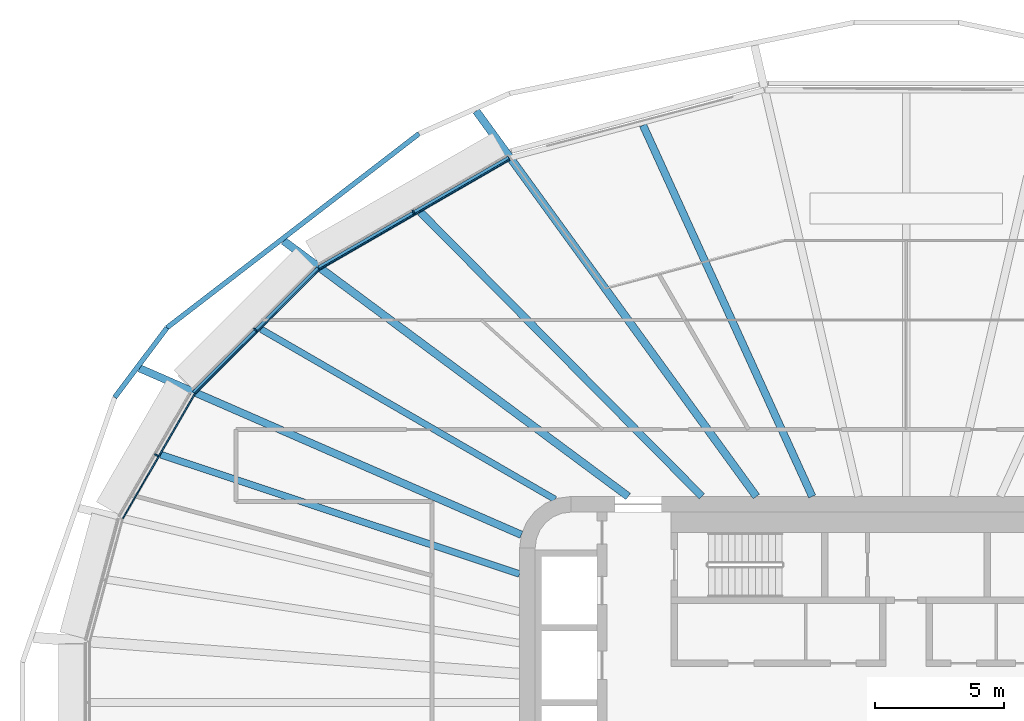
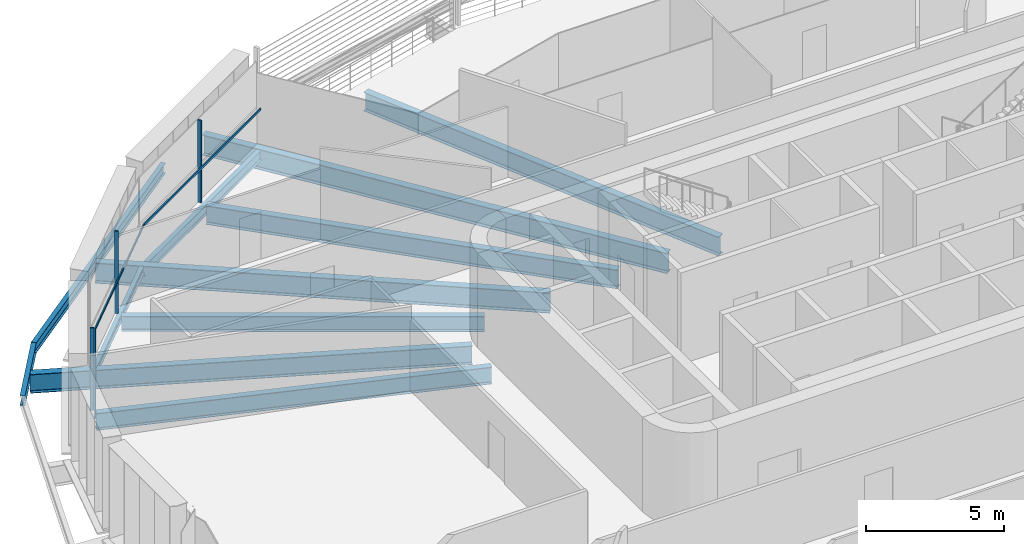
# One storey, part 7 of 24: 11 beams, 6 members, 3 elements without a shape of their own.
"""IFC4 building model written with IfcOpenShell, lengths in metres."""

from ifc_helpers import new_model, si_unit, direction, frame, origin, origin_2d, place, context, subcontext, project, spatial, rectangle, i_section, extrude, material, layer, layer_set, material_profile, profile_set, type_object, element, aggregate, save


model = new_model("IFC4")

# Units and contexts
model_context = context("Model", 3, precision=1e-05, world=origin(), true_north=direction((0.0, 1.0)))
body_context = subcontext(model_context, "Body", "Model", "MODEL_VIEW")
ifc_project = project(units=[si_unit("LENGTHUNIT", "METRE"), si_unit("AREAUNIT", "SQUARE_METRE"), si_unit("VOLUMEUNIT", "CUBIC_METRE"), si_unit("PLANEANGLEUNIT", "RADIAN"), si_unit("MASSUNIT", "GRAM", prefix="KILO")], contexts=[model_context])

# Site, building, storey
site_placement = place(None, origin())
site = spatial("IfcSite", under=ifc_project, at=site_placement, CompositionType="ELEMENT")
building_placement = place(site_placement, origin())
building = spatial("IfcBuilding", under=site, at=building_placement, Name="Sahrelin Media Tower", CompositionType="ELEMENT")
storey_placement = place(building_placement, frame((0.0, 0.0, 118.800048828125)))
storey = spatial("IfcBuildingStorey", under=building, at=storey_placement, Name="L23", CompositionType="ELEMENT", Elevation=118.800048828125)

# Beams
ifc_material_1 = material(Name="Steel S355", Category="steel")
ifc_material_profile_1 = material_profile(ifc_material_1, i_section(OverallWidth=0.17138671875, OverallDepth=0.35498046875, WebThickness=0.00732421875, FlangeThickness=0.011474609375, FilletRadius=0.01025390625, at=origin_2d()), Name="UB 356x171x51")
ifc_profile_set_1 = profile_set([ifc_material_profile_1], Name="Steel S355")
beam_type_1 = type_object("IfcBeamType", Name="Edge beam EB3", PredefinedType="BEAM", material=ifc_profile_set_1)
beam_1_placement = place(storey_placement, frame((-27.626953125, 12.023681640625, -0.32763671875), z_axis=(0.707106781187, 0.707106781187, 0.0), x_axis=(-0.707106781187, 0.707106781187, 0.0)))
element("IfcBeam", 1, at=beam_1_placement, inside=storey, type_object=beam_type_1, Name="Edge beam L23-16", PredefinedType="BEAM", context=body_context, shape_type="SweptSolid", body=[
    extrude(i_section(OverallWidth=0.17138671875, OverallDepth=0.35498046875, WebThickness=0.00732421875, FlangeThickness=0.011474609375, FilletRadius=0.01025390625, at=origin_2d()), origin(), (0.0, 0.0, 1.0), 6.819091796875),
])
ifc_material_profile_2 = material_profile(ifc_material_1, i_section(OverallWidth=0.1904296875, OverallDepth=0.45703125, WebThickness=0.009033203125, FlangeThickness=0.014404296875, FilletRadius=0.01025390625, at=origin_2d()), Name="UB 457x191x74")
ifc_profile_set_2 = profile_set([ifc_material_profile_2], Name="Steel S355")
beam_type_2 = type_object("IfcBeamType", Name="Edge beam EB5", PredefinedType="BEAM", material=ifc_profile_set_2)
beam_2_placement = place(storey_placement, frame((-22.7822265625, 16.86279296875, -0.428466796875), z_axis=(0.866002219952, 0.500040153425, 0.0), x_axis=(-0.500040153425, 0.866002219952, 0.0)))
element("IfcBeam", 2, at=beam_2_placement, inside=storey, type_object=beam_type_2, Name="Edge beam L23-17", PredefinedType="BEAM", context=body_context, shape_type="SweptSolid", body=[
    extrude(i_section(OverallWidth=0.1904296875, OverallDepth=0.45703125, WebThickness=0.009033203125, FlangeThickness=0.014404296875, FilletRadius=0.01025390625, at=origin_2d()), origin(), (0.0, 0.0, 1.0), 8.514404296875),
])

# Curtain wall, member
ifc_material_2 = material(Name="Champagne anodised aluminium 6063-T6", Category="aluminium")
ifc_layer = layer(ifc_material_2, 0.14990234375)
ifc_layer_set = layer_set([ifc_layer], Name="Tower ribbon curtain wall")
curtain_wall_type = type_object("IfcCurtainWallType", Name="Tower ribbon curtain wall", PredefinedType="NOTDEFINED", material=ifc_layer_set)
curtain_wall_1_placement = place(storey_placement, frame((-19.17041015625, 19.12158203125, 0.0), z_axis=(0.0, 0.0, 1.0), x_axis=(1.0, 0.0, 0.0)))
curtain_wall_1 = element("IfcCurtainWall", 3, at=curtain_wall_1_placement, inside=storey, type_object=curtain_wall_type, Name="L23:CW:L23-08", PredefinedType="NOTDEFINED")
ifc_material_profile_3 = material_profile(ifc_material_2, rectangle(XDim=0.06005859375, YDim=0.14990234375, at=origin_2d()), Name="Mullion 60x150")
ifc_profile_set_3 = profile_set([ifc_material_profile_3], Name="Champagne anodised aluminium 6063-T6")
member_type_1 = type_object("IfcMemberType", Name="Mullion 60x150 CW1", PredefinedType="MULLION", material=ifc_profile_set_3)
member_1_placement = place(storey_placement, frame((-19.122802734375, 19.039306640625, 0.0), z_axis=(0.0, 0.0, 1.0), x_axis=(-0.866020167749, -0.500009068969, 0.0)))
member_1 = element("IfcMember", 4, at=member_1_placement, type_object=member_type_1, Name="L23:CWM:L23-08", PredefinedType="MULLION", context=body_context, shape_type="SweptSolid", body=[
    extrude(rectangle(XDim=0.06005859375, YDim=0.14990234375, at=origin_2d()), origin(), (0.0, 0.0, 1.0), 3.6484375),
])

curtain_wall_2_placement = place(storey_placement, frame((-25.322021484375, 14.54052734375, 0.0), z_axis=(0.0, 0.0, 1.0), x_axis=(1.0, 0.0, 0.0)))
curtain_wall_2 = element("IfcCurtainWall", 5, at=curtain_wall_2_placement, inside=storey, type_object=curtain_wall_type, Name="L23:CW:L23-09", PredefinedType="NOTDEFINED")
member_2_placement = place(storey_placement, frame((-25.2548828125, 14.473388671875, 0.0), z_axis=(0.0, 0.0, 1.0), x_axis=(-0.707106781187, -0.707106781187, 0.0)))
member_2 = element("IfcMember", 6, at=member_2_placement, type_object=member_type_1, Name="L23:CWM:L23-09", PredefinedType="MULLION", context=body_context, shape_type="SweptSolid", body=[
    extrude(rectangle(XDim=0.06005859375, YDim=0.14990234375, at=origin_2d()), origin(), (0.0, 0.0, 1.0), 3.6484375),
])

curtain_wall_3_placement = place(storey_placement, frame((-29.174560546875, 9.650390625, 0.0), z_axis=(0.0, 0.0, 1.0), x_axis=(1.0, 0.0, 0.0)))
curtain_wall_3 = element("IfcCurtainWall", 7, at=curtain_wall_3_placement, inside=storey, type_object=curtain_wall_type, Name="L23:CW:L23-10", PredefinedType="NOTDEFINED")
member_3_placement = place(storey_placement, frame((-29.09228515625, 9.60302734375, 0.0), z_axis=(0.0, 0.0, 1.0), x_axis=(-0.500001511499, -0.866024531118, 0.0)))
member_3 = element("IfcMember", 8, at=member_3_placement, type_object=member_type_1, Name="L23:CWM:L23-10", PredefinedType="MULLION", context=body_context, shape_type="SweptSolid", body=[
    extrude(rectangle(XDim=0.06005859375, YDim=0.14990234375, at=origin_2d()), origin(), (0.0, 0.0, 1.0), 3.6484375),
])

# Beams
ifc_material_profile_4 = material_profile(ifc_material_1, i_section(OverallWidth=0.291748046875, OverallDepth=0.8349609375, WebThickness=0.013916015625, FlangeThickness=0.018798828125, FilletRadius=0.017822265625, at=origin_2d()), Name="UB 838x292x176")
ifc_profile_set_4 = profile_set([ifc_material_profile_4], Name="Steel S355")
beam_type_3 = type_object("IfcBeamType", Name="Radial primary beam PB10", PredefinedType="BEAM", material=ifc_profile_set_4)
beam_3_placement = place(storey_placement, frame((-14.9326171875, 6.512451171875, -0.567626953125), z_axis=(-0.916617780481, 0.399764736446, 0.0), x_axis=(-0.399764736446, -0.916617780481, 0.0)))
element("IfcBeam", 9, at=beam_3_placement, inside=storey, type_object=beam_type_3, Name="Radial beam L23-10", PredefinedType="BEAM", context=body_context, shape_type="SweptSolid", body=[
    extrude(i_section(OverallWidth=0.291748046875, OverallDepth=0.8349609375, WebThickness=0.013916015625, FlangeThickness=0.018798828125, FilletRadius=0.017822265625, at=origin_2d()), origin(), (0.0, 0.0, 1.0), 16.16357421875),
])
ifc_material_profile_5 = material_profile(ifc_material_1, i_section(OverallWidth=0.30322265625, OverallDepth=0.903076171875, WebThickness=0.01513671875, FlangeThickness=0.020263671875, FilletRadius=0.01904296875, at=origin_2d()), Name="UB 914x305x201")
ifc_profile_set_5 = profile_set([ifc_material_profile_5], Name="Steel S355")
beam_type_4 = type_object("IfcBeamType", Name="Radial primary beam PB11", PredefinedType="BEAM", material=ifc_profile_set_5)
beam_4_placement = place(storey_placement, frame((-5.813232421875, 8.0, -0.6015625), z_axis=(-0.587841187642, 0.80897635201, 0.0), x_axis=(-0.80897635201, -0.587841187642, 0.0)))
element("IfcBeam", 10, at=beam_4_placement, inside=storey, type_object=beam_type_4, Name="Radial beam L23-08", PredefinedType="BEAM", context=body_context, shape_type="SweptSolid", body=[
    extrude(i_section(OverallWidth=0.30322265625, OverallDepth=0.903076171875, WebThickness=0.01513671875, FlangeThickness=0.020263671875, FilletRadius=0.01904296875, at=origin_2d()), origin(), (0.0, 0.0, 1.0), 18.49365234375),
])
beam_5_placement = place(storey_placement, frame((-10.785888671875, 8.0, -0.6015625), z_axis=(-0.803181335478, 0.59573462409, 0.0), x_axis=(-0.59573462409, -0.803181335478, 0.0)))
element("IfcBeam", 11, at=beam_5_placement, inside=storey, type_object=beam_type_4, Name="Radial beam L23-09", PredefinedType="BEAM", context=body_context, shape_type="SweptSolid", body=[
    extrude(i_section(OverallWidth=0.30322265625, OverallDepth=0.903076171875, WebThickness=0.01513671875, FlangeThickness=0.020263671875, FilletRadius=0.01904296875, at=origin_2d()), origin(), (0.0, 0.0, 1.0), 16.645751953125),
])
ifc_material_profile_6 = material_profile(ifc_material_1, i_section(OverallWidth=0.291748046875, OverallDepth=0.8349609375, WebThickness=0.013916015625, FlangeThickness=0.018798828125, FilletRadius=0.017822265625, at=origin_2d()), Name="UB 838x292x176")
ifc_profile_set_6 = profile_set([ifc_material_profile_6], Name="Steel S355")
beam_type_5 = type_object("IfcBeamType", Name="Radial secondary beam SB10", PredefinedType="BEAM", material=ifc_profile_set_6)
beam_6_placement = place(storey_placement, frame((-3.6455078125, 8.0, -0.617431640625), z_axis=(-0.41464150741, 0.909984846211, 0.0), x_axis=(-0.909984846211, -0.41464150741, 0.0)))
element("IfcBeam", 12, at=beam_6_placement, inside=storey, type_object=beam_type_5, Name="Secondary beam L23-07", PredefinedType="BEAM", context=body_context, shape_type="SweptSolid", body=[
    extrude(i_section(OverallWidth=0.291748046875, OverallDepth=0.8349609375, WebThickness=0.013916015625, FlangeThickness=0.018798828125, FilletRadius=0.017822265625, at=origin_2d()), origin(), (0.0, 0.0, 1.0), 15.833984375),
])
beam_7_placement = place(storey_placement, frame((-7.922119140625, 8.0, -0.567626953125), z_axis=(-0.703629599275, 0.710566947601, 0.0), x_axis=(-0.710566947601, -0.703629599275, 0.0)))
element("IfcBeam", 13, at=beam_7_placement, inside=storey, type_object=beam_type_5, Name="Secondary beam L23-08", PredefinedType="BEAM", context=body_context, shape_type="SweptSolid", body=[
    extrude(i_section(OverallWidth=0.291748046875, OverallDepth=0.8349609375, WebThickness=0.013916015625, FlangeThickness=0.018798828125, FilletRadius=0.017822265625, at=origin_2d()), origin(), (0.0, 0.0, 1.0), 15.519775390625),
])
ifc_material_profile_7 = material_profile(ifc_material_1, i_section(OverallWidth=0.2529296875, OverallDepth=0.677978515625, WebThickness=0.01171875, FlangeThickness=0.01611328125, FilletRadius=0.01513671875, at=origin_2d()), Name="UB 686x254x125")
ifc_profile_set_7 = profile_set([ifc_material_profile_7], Name="Steel S355")
beam_type_6 = type_object("IfcBeamType", Name="Radial secondary beam SB8", PredefinedType="BEAM", material=ifc_profile_set_7)
beam_8_placement = place(storey_placement, frame((-13.625732421875, 7.88720703125, -0.489013671875), z_axis=(-0.865466427639, 0.50096692768, 0.0), x_axis=(-0.50096692768, -0.865466427639, 0.0)))
element("IfcBeam", 14, at=beam_8_placement, inside=storey, type_object=beam_type_6, Name="Secondary beam L23-09", PredefinedType="BEAM", context=body_context, shape_type="SweptSolid", body=[
    extrude(i_section(OverallWidth=0.2529296875, OverallDepth=0.677978515625, WebThickness=0.01171875, FlangeThickness=0.01611328125, FilletRadius=0.01513671875, at=origin_2d()), origin(), (0.0, 0.0, 1.0), 13.18505859375),
])
ifc_material_profile_8 = material_profile(ifc_material_1, i_section(OverallWidth=0.26513671875, OverallDepth=0.75390625, WebThickness=0.0126953125, FlangeThickness=0.017578125, FilletRadius=0.0166015625, at=origin_2d()), Name="UB 762x267x147")
ifc_profile_set_8 = profile_set([ifc_material_profile_8], Name="Steel S355")
beam_type_7 = type_object("IfcBeamType", Name="Radial secondary beam SB9", PredefinedType="BEAM", material=ifc_profile_set_8)
beam_9_placement = place(storey_placement, frame((-15.0, 4.98974609375, -0.527099609375), z_axis=(-0.948881111096, 0.315633707017, 0.0), x_axis=(-0.315633707017, -0.948881111096, 0.0)))
element("IfcBeam", 15, at=beam_9_placement, inside=storey, type_object=beam_type_7, Name="Secondary beam L23-10", PredefinedType="BEAM", context=body_context, shape_type="SweptSolid", body=[
    extrude(i_section(OverallWidth=0.26513671875, OverallDepth=0.75390625, WebThickness=0.0126953125, FlangeThickness=0.017578125, FilletRadius=0.0166015625, at=origin_2d()), origin(), (0.0, 0.0, 1.0), 14.673095703125),
])
ifc_material_profile_9 = material_profile(ifc_material_1, i_section(OverallWidth=0.1904296875, OverallDepth=0.45703125, WebThickness=0.009033203125, FlangeThickness=0.014404296875, FilletRadius=0.01025390625, at=origin_2d()), Name="UB 457x191x74")
ifc_profile_set_9 = profile_set([ifc_material_profile_9], Name="Steel S355")
beam_type_8 = type_object("IfcBeamType", Name="Tie chord TC5", PredefinedType="BEAM", material=ifc_profile_set_9)
beam_10_placement = place(storey_placement, frame((-18.9033203125, 22.0791015625, -0.378662109375), z_axis=(-0.792440143833, -0.609949685173, 0.0), x_axis=(0.609949685173, -0.792440143833, 0.0)))
element("IfcBeam", 16, at=beam_10_placement, inside=storey, type_object=beam_type_8, Name="Tie chord L23-09", PredefinedType="BEAM", context=body_context, shape_type="SweptSolid", body=[
    extrude(i_section(OverallWidth=0.1904296875, OverallDepth=0.45703125, WebThickness=0.009033203125, FlangeThickness=0.014404296875, FilletRadius=0.01025390625, at=origin_2d()), origin(), (0.0, 0.0, 1.0), 12.34423828125),
])
beam_11_placement = place(storey_placement, frame((-28.685302734375, 14.5498046875, -0.378662109375), z_axis=(-0.600069344871, -0.79994798665, 0.0), x_axis=(0.79994798665, -0.600069344871, 0.0)))
element("IfcBeam", 17, at=beam_11_placement, inside=storey, type_object=beam_type_8, Name="Tie chord L23-10", PredefinedType="BEAM", context=body_context, shape_type="SweptSolid", body=[
    extrude(i_section(OverallWidth=0.1904296875, OverallDepth=0.45703125, WebThickness=0.009033203125, FlangeThickness=0.014404296875, FilletRadius=0.01025390625, at=origin_2d()), origin(), (0.0, 0.0, 1.0), 3.379638671875),
])

# Member
ifc_material_profile_10 = material_profile(ifc_material_2, rectangle(XDim=0.050048828125, YDim=0.10009765625, at=origin_2d()), Name="Transom 50x100")
ifc_profile_set_10 = profile_set([ifc_material_profile_10], Name="Champagne anodised aluminium 6063-T6")
member_type_2 = type_object("IfcMemberType", Name="Transom 50x100 CW1", PredefinedType="USERDEFINED", material=ifc_profile_set_10)
member_4_placement = place(storey_placement, frame((-15.399658203125, 21.073486328125, 1.599853515625), z_axis=(-0.866013526608, -0.50002057131, 0.0), x_axis=(0.50002057131, -0.866013526608, 0.0)))
member_4 = element("IfcMember", 18, at=member_4_placement, type_object=member_type_2, Name="L23:CWT:L23-08", ObjectType="TRANSOM", PredefinedType="USERDEFINED", context=body_context, shape_type="SweptSolid", body=[
    extrude(rectangle(XDim=0.050048828125, YDim=0.10009765625, at=origin_2d()), origin(), (0.0, 0.0, 1.0), 8.483154296875),
])

aggregate(curtain_wall_1, [member_1, member_4])

member_5_placement = place(storey_placement, frame((-22.784423828125, 16.802490234375, 1.599853515625), z_axis=(-0.707106781187, -0.707106781187, 0.0), x_axis=(0.707106781187, -0.707106781187, 0.0)))
member_5 = element("IfcMember", 19, at=member_5_placement, type_object=member_type_2, Name="L23:CWT:L23-09", ObjectType="TRANSOM", PredefinedType="USERDEFINED", context=body_context, shape_type="SweptSolid", body=[
    extrude(rectangle(XDim=0.050048828125, YDim=0.10009765625, at=origin_2d()), origin(), (0.0, 0.0, 1.0), 6.78759765625),
])

aggregate(curtain_wall_2, [member_2, member_5])

member_6_placement = place(storey_placement, frame((-27.61328125, 11.964599609375, 1.599853515625), z_axis=(-0.500028539159, -0.866008926066, 0.0), x_axis=(0.866008926066, -0.500028539159, 0.0)))
member_6 = element("IfcMember", 20, at=member_6_placement, type_object=member_type_2, Name="L23:CWT:L23-10", ObjectType="TRANSOM", PredefinedType="USERDEFINED", context=body_context, shape_type="SweptSolid", body=[
    extrude(rectangle(XDim=0.050048828125, YDim=0.10009765625, at=origin_2d()), origin(), (0.0, 0.0, 1.0), 5.569580078125),
])

aggregate(curtain_wall_3, [member_3, member_6])

save(model, "model.ifc")
